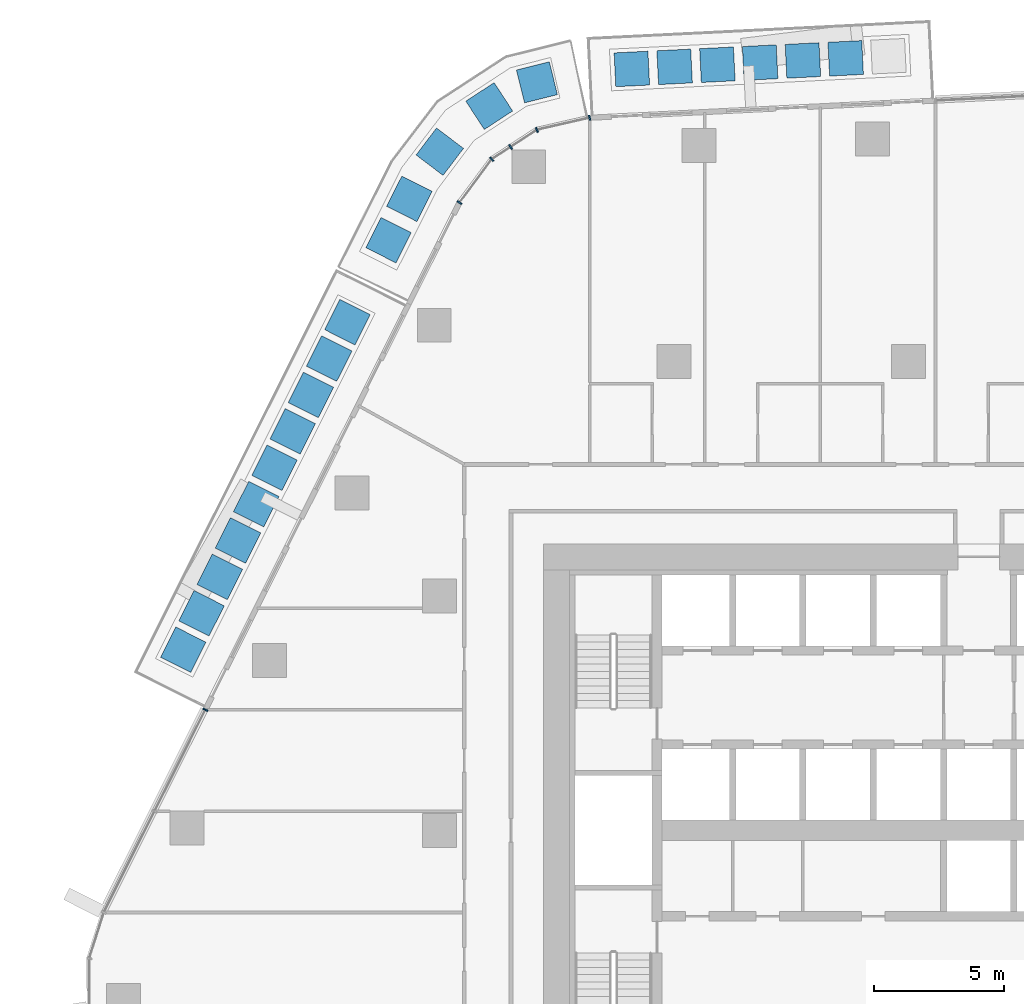
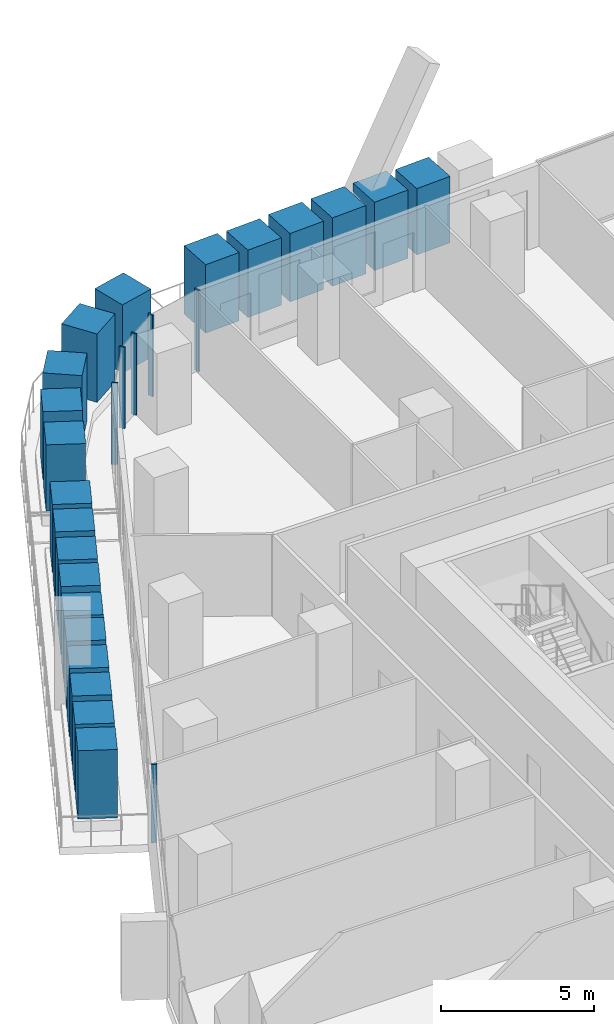
# One storey, part 6 of 26: 27 members, 3 elements without a shape of their own.
"""IFC4 building model written with IfcOpenShell, lengths in metres."""

from ifc_helpers import new_model, si_unit, direction, frame, origin, origin_2d, place, context, subcontext, project, spatial, rectangle, extrude, material, layer, layer_set, material_profile, profile_set, type_object, element, aggregate, save


model = new_model("IFC4")

# Units and contexts
model_context = context("Model", 3, precision=1e-05, world=origin(), true_north=direction((0.0, 1.0)))
body_context = subcontext(model_context, "Body", "Model", "MODEL_VIEW")
ifc_project = project(units=[si_unit("LENGTHUNIT", "METRE"), si_unit("AREAUNIT", "SQUARE_METRE"), si_unit("VOLUMEUNIT", "CUBIC_METRE"), si_unit("PLANEANGLEUNIT", "RADIAN"), si_unit("MASSUNIT", "GRAM", prefix="KILO")], contexts=[model_context])

# Site, building, storey
site_placement = place(None, origin())
site = spatial("IfcSite", under=ifc_project, at=site_placement, CompositionType="ELEMENT")
building_placement = place(site_placement, origin())
building = spatial("IfcBuilding", under=site, at=building_placement, Name="Dongbaek Canopy Tower", CompositionType="ELEMENT")
storey_placement = place(building_placement, frame((0.0, 0.0, 95.199951171875)))
storey = spatial("IfcBuildingStorey", under=building, at=storey_placement, Name="L19", CompositionType="ELEMENT", Elevation=95.199951171875)

# Curtain wall, members
ifc_material_1 = material(Name="Aluminium 6063-T6 pale anodised", Category="aluminium")
ifc_layer = layer(ifc_material_1, 0.199951171875)
ifc_layer_set = layer_set([ifc_layer], Name="CW-1 unitised tower curtain wall")
curtain_wall_type = type_object("IfcCurtainWallType", Name="CW-1 unitised tower curtain wall", PredefinedType="NOTDEFINED", material=ifc_layer_set)
curtain_wall_1_placement = place(storey_placement, origin())
curtain_wall_1 = element("IfcCurtainWall", 1, at=curtain_wall_1_placement, inside=storey, type_object=curtain_wall_type, Name="CW-1 curtain wall K2.1a", PredefinedType="NOTDEFINED")
ifc_material_2 = material(Name="Aluminium 6063-T6 pale anodised", Category="aluminium")
ifc_material_profile_1 = material_profile(ifc_material_2, rectangle(XDim=0.199951171875, YDim=0.06005859375, at=origin_2d()), Name="CW-1 mullion 60 x 200")
ifc_profile_set_1 = profile_set([ifc_material_profile_1], Name="Aluminium 6063-T6 pale anodised")
member_type_1 = type_object("IfcMemberType", Name="CW-1 mullion 60 x 200", PredefinedType="MULLION", material=ifc_profile_set_1)
member_1_placement = place(storey_placement, frame((-12.238037109375, 27.353759765625, 0.0), z_axis=(0.0, 0.0, 1.0), x_axis=(-0.223774189134, 0.974641017133, 0.0)))
member_1 = element("IfcMember", 2, at=member_1_placement, type_object=member_type_1, Name="CW-1 mullion K2.1a.1", PredefinedType="MULLION", context=body_context, shape_type="SweptSolid", body=[
    extrude(rectangle(XDim=0.199951171875, YDim=0.06005859375, at=origin_2d()), origin(), (0.0, 0.0, 1.0), 3.25),
])
member_2_placement = place(storey_placement, frame((-14.261474609375, 26.889404296875, 0.0), z_axis=(0.0, 0.0, 1.0), x_axis=(-0.39108657769, 0.920353893212, 0.0)))
member_2 = element("IfcMember", 3, at=member_2_placement, type_object=member_type_1, Name="CW-1 mullion K2.1a.2", PredefinedType="MULLION", context=body_context, shape_type="SweptSolid", body=[
    extrude(rectangle(XDim=0.199951171875, YDim=0.06005859375, at=origin_2d()), origin(), (0.0, 0.0, 1.0), 3.25),
])
member_3_placement = place(storey_placement, frame((-15.27099609375, 26.23095703125, 0.0), z_axis=(0.0, 0.0, 1.0), x_axis=(-0.546298541371, 0.837590534626, 0.0)))
member_3 = element("IfcMember", 4, at=member_3_placement, type_object=member_type_1, Name="CW-1 mullion K2.1a.3", PredefinedType="MULLION", context=body_context, shape_type="SweptSolid", body=[
    extrude(rectangle(XDim=0.199951171875, YDim=0.06005859375, at=origin_2d()), origin(), (0.0, 0.0, 1.0), 3.25),
])
aggregate(curtain_wall_1, [member_1, member_2, member_3])

curtain_wall_2_placement = place(storey_placement, origin())
curtain_wall_2 = element("IfcCurtainWall", 5, at=curtain_wall_2_placement, inside=storey, type_object=curtain_wall_type, Name="CW-1 curtain wall K2.1b", PredefinedType="NOTDEFINED")
member_4_placement = place(storey_placement, frame((-15.99267578125, 25.760009765625, 0.0), z_axis=(0.0, 0.0, 1.0), x_axis=(-0.684607740177, 0.728911683327, 0.0)))
member_4 = element("IfcMember", 6, at=member_4_placement, type_object=member_type_1, Name="CW-1 mullion K2.1b.2", PredefinedType="MULLION", context=body_context, shape_type="SweptSolid", body=[
    extrude(rectangle(XDim=0.199951171875, YDim=0.06005859375, at=origin_2d()), origin(), (0.0, 0.0, 1.0), 3.25),
])
member_5_placement = place(storey_placement, frame((-17.2333984375, 24.095703125, 0.0), z_axis=(0.0, 0.0, 1.0), x_axis=(-0.80173481458, 0.597679920267, 0.0)))
member_5 = element("IfcMember", 7, at=member_5_placement, type_object=member_type_1, Name="CW-1 mullion K2.1b.3", PredefinedType="MULLION", context=body_context, shape_type="SweptSolid", body=[
    extrude(rectangle(XDim=0.199951171875, YDim=0.06005859375, at=origin_2d()), origin(), (0.0, 0.0, 1.0), 3.25),
])
aggregate(curtain_wall_2, [member_4, member_5])

# Curtain wall, member
curtain_wall_3_placement = place(storey_placement, origin())
curtain_wall_3 = element("IfcCurtainWall", 8, at=curtain_wall_3_placement, inside=storey, type_object=curtain_wall_type, Name="CW-1 curtain wall F2.1", PredefinedType="NOTDEFINED")
member_6_placement = place(storey_placement, frame((-26.9873046875, 4.62841796875, 0.1201171875), z_axis=(0.0, 0.0, 1.0), x_axis=(-0.894055791151, 0.447955625381, 0.0)))
member_6 = element("IfcMember", 9, at=member_6_placement, type_object=member_type_1, Name="CW-1 mullion F2.1.1", PredefinedType="MULLION", context=body_context, shape_type="SweptSolid", body=[
    extrude(rectangle(XDim=0.199951171875, YDim=0.06005859375, at=origin_2d()), origin(), (0.0, 0.0, 1.0), 3.1298828125),
])
aggregate(curtain_wall_3, [member_6])

# Members
ifc_material_3 = material(Name="Concrete C40/50 planter mass with planting", Category="concrete")
ifc_material_profile_2 = material_profile(ifc_material_3, rectangle(XDim=1.300048828125, YDim=1.300048828125, at=origin_2d()), Name="Terrace PLANTER shrub mass 1300 x 1300")
ifc_profile_set_2 = profile_set([ifc_material_profile_2], Name="Concrete C40/50 planter mass with planting")
member_type_2 = type_object("IfcMemberType", Name="Terrace PLANTER shrub mass 1300 x 1300", PredefinedType="USERDEFINED", material=ifc_profile_set_2)
member_7_placement = place(storey_placement, frame((-2.40771484375, 29.633544921875, 0.420166015625), z_axis=(0.0, 0.0, 1.0), x_axis=(-0.049538109177, 0.998772234165, 0.0)))
element("IfcMember", 10, at=member_7_placement, inside=storey, type_object=member_type_2, Name="Planter shrubs L19 2.2", ObjectType="PLANTER", PredefinedType="USERDEFINED", context=body_context, shape_type="SweptSolid", body=[
    extrude(rectangle(XDim=1.300048828125, YDim=1.300048828125, at=origin_2d()), origin(), (0.0, 0.0, 1.0), 2.64990234375),
])
for number, where, z_axis, x_axis, name in (
    (11, (-4.04931640625, 29.55224609375, 0.420166015625), (0.0, 0.0, 1.0), (-0.049538109177, 0.998772234165, 0.0), "Planter shrubs L19 2.3"),
    (12, (-5.69091796875, 29.470703125, 0.420166015625), (0.0, 0.0, 1.0), (-0.049538109177, 0.998772234165, 0.0), "Planter shrubs L19 2.4"),
    (13, (-7.33251953125, 29.389404296875, 0.420166015625), (0.0, 0.0, 1.0), (-0.049538109177, 0.998772234165, 0.0), "Planter shrubs L19 2.5"),
):
    element("IfcMember", number, at=place(storey_placement, frame(where, z_axis=z_axis, x_axis=x_axis)), inside=storey, type_object=member_type_2, Name=name, ObjectType="PLANTER", PredefinedType="USERDEFINED", context=body_context, shape_type="SweptSolid", body=[
        extrude(rectangle(XDim=1.300048828125, YDim=1.300048828125, at=origin_2d()), origin(), (0.0, 0.0, 1.0), 2.72998046875),
    ])
member_8_placement = place(storey_placement, frame((-8.97412109375, 29.307861328125, 0.420166015625), z_axis=(0.0, 0.0, 1.0), x_axis=(-0.049538109177, 0.998772234165, 0.0)))
element("IfcMember", 14, at=member_8_placement, inside=storey, type_object=member_type_2, Name="Planter shrubs L19 2.6", ObjectType="PLANTER", PredefinedType="USERDEFINED", context=body_context, shape_type="SweptSolid", body=[
    extrude(rectangle(XDim=1.300048828125, YDim=1.300048828125, at=origin_2d()), origin(), (0.0, 0.0, 1.0), 2.68994140625),
])
for number, where, z_axis, x_axis, name in (
    (15, (-10.615966796875, 29.2265625, 0.420166015625), (0.0, 0.0, 1.0), (-0.049538109177, 0.998772234165, 0.0), "Planter shrubs L19 2.7"),
    (16, (-21.53466796875, 19.507080078125, 0.420166015625), (0.0, 0.0, 1.0), (-0.894055791151, 0.447955625381, 0.0), "Planter shrubs L19 3.1"),
    (17, (-22.234619140625, 18.110107421875, 0.420166015625), (0.0, 0.0, 1.0), (-0.894055791151, 0.447955625381, 0.0), "Planter shrubs L19 3.2"),
):
    element("IfcMember", number, at=place(storey_placement, frame(where, z_axis=z_axis, x_axis=x_axis)), inside=storey, type_object=member_type_2, Name=name, ObjectType="PLANTER", PredefinedType="USERDEFINED", context=body_context, shape_type="SweptSolid", body=[
        extrude(rectangle(XDim=1.300048828125, YDim=1.300048828125, at=origin_2d()), origin(), (0.0, 0.0, 1.0), 2.72998046875),
    ])
member_9_placement = place(storey_placement, frame((-22.9345703125, 16.712890625, 0.420166015625), z_axis=(0.0, 0.0, 1.0), x_axis=(-0.894055791151, 0.447955625381, 0.0)))
element("IfcMember", 18, at=member_9_placement, inside=storey, type_object=member_type_2, Name="Planter shrubs L19 3.3", ObjectType="PLANTER", PredefinedType="USERDEFINED", context=body_context, shape_type="SweptSolid", body=[
    extrude(rectangle(XDim=1.300048828125, YDim=1.300048828125, at=origin_2d()), origin(), (0.0, 0.0, 1.0), 2.68994140625),
])
member_10_placement = place(storey_placement, frame((-23.634521484375, 15.31591796875, 0.420166015625), z_axis=(0.0, 0.0, 1.0), x_axis=(-0.894055791151, 0.447955625381, 0.0)))
element("IfcMember", 19, at=member_10_placement, inside=storey, type_object=member_type_2, Name="Planter shrubs L19 3.4", ObjectType="PLANTER", PredefinedType="USERDEFINED", context=body_context, shape_type="SweptSolid", body=[
    extrude(rectangle(XDim=1.300048828125, YDim=1.300048828125, at=origin_2d()), origin(), (0.0, 0.0, 1.0), 2.72998046875),
])
member_11_placement = place(storey_placement, frame((-24.334716796875, 13.918701171875, 0.420166015625), z_axis=(0.0, 0.0, 1.0), x_axis=(-0.894055791151, 0.447955625381, 0.0)))
element("IfcMember", 20, at=member_11_placement, inside=storey, type_object=member_type_2, Name="Planter shrubs L19 3.5", ObjectType="PLANTER", PredefinedType="USERDEFINED", context=body_context, shape_type="SweptSolid", body=[
    extrude(rectangle(XDim=1.300048828125, YDim=1.300048828125, at=origin_2d()), origin(), (0.0, 0.0, 1.0), 2.64990234375),
])
for number, where, z_axis, x_axis, name in (
    (21, (-25.03466796875, 12.521728515625, 0.420166015625), (0.0, 0.0, 1.0), (-0.894055791151, 0.447955625381, 0.0), "Planter shrubs L19 3.6"),
    (22, (-25.734619140625, 11.12451171875, 0.420166015625), (0.0, 0.0, 1.0), (-0.894055791151, 0.447955625381, 0.0), "Planter shrubs L19 3.7"),
    (23, (-26.4345703125, 9.7275390625, 0.420166015625), (0.0, 0.0, 1.0), (-0.894055791151, 0.447955625381, 0.0), "Planter shrubs L19 3.8"),
):
    element("IfcMember", number, at=place(storey_placement, frame(where, z_axis=z_axis, x_axis=x_axis)), inside=storey, type_object=member_type_2, Name=name, ObjectType="PLANTER", PredefinedType="USERDEFINED", context=body_context, shape_type="SweptSolid", body=[
        extrude(rectangle(XDim=1.300048828125, YDim=1.300048828125, at=origin_2d()), origin(), (0.0, 0.0, 1.0), 2.72998046875),
    ])
member_12_placement = place(storey_placement, frame((-27.134521484375, 8.330322265625, 0.420166015625), z_axis=(0.0, 0.0, 1.0), x_axis=(-0.894055791151, 0.447955625381, 0.0)))
element("IfcMember", 24, at=member_12_placement, inside=storey, type_object=member_type_2, Name="Planter shrubs L19 3.9", ObjectType="PLANTER", PredefinedType="USERDEFINED", context=body_context, shape_type="SweptSolid", body=[
    extrude(rectangle(XDim=1.300048828125, YDim=1.300048828125, at=origin_2d()), origin(), (0.0, 0.0, 1.0), 2.68994140625),
])
for number, where, z_axis, x_axis, name in (
    (25, (-27.834716796875, 6.933349609375, 0.420166015625), (0.0, 0.0, 1.0), (-0.894055791151, 0.447955625381, 0.0), "Planter shrubs L19 3.10"),
    (26, (-14.259033203125, 28.713134765625, 0.420166015625), (0.0, 0.0, 1.0), (-0.241323932248, 0.970444619607, 0.0), "Planter shrubs L19 7.1"),
    (27, (-16.090576171875, 27.802001953125, 0.420166015625), (0.0, 0.0, 1.0), (-0.546298541371, 0.837590534626, 0.0), "Planter shrubs L19 7.2"),
):
    element("IfcMember", number, at=place(storey_placement, frame(where, z_axis=z_axis, x_axis=x_axis)), inside=storey, type_object=member_type_2, Name=name, ObjectType="PLANTER", PredefinedType="USERDEFINED", context=body_context, shape_type="SweptSolid", body=[
        extrude(rectangle(XDim=1.300048828125, YDim=1.300048828125, at=origin_2d()), origin(), (0.0, 0.0, 1.0), 2.72998046875),
    ])
member_13_placement = place(storey_placement, frame((-17.98828125, 26.05078125, 0.420166015625), z_axis=(0.0, 0.0, 1.0), x_axis=(-0.797113511965, 0.603829486729, 0.0)))
element("IfcMember", 28, at=member_13_placement, inside=storey, type_object=member_type_2, Name="Planter shrubs L19 7.3", ObjectType="PLANTER", PredefinedType="USERDEFINED", context=body_context, shape_type="SweptSolid", body=[
    extrude(rectangle(XDim=1.300048828125, YDim=1.300048828125, at=origin_2d()), origin(), (0.0, 0.0, 1.0), 2.68994140625),
])
member_14_placement = place(storey_placement, frame((-19.156982421875, 24.241455078125, 0.420166015625), z_axis=(0.0, 0.0, 1.0), x_axis=(-0.893229129784, 0.449601736769, 0.0)))
element("IfcMember", 29, at=member_14_placement, inside=storey, type_object=member_type_2, Name="Planter shrubs L19 7.4", ObjectType="PLANTER", PredefinedType="USERDEFINED", context=body_context, shape_type="SweptSolid", body=[
    extrude(rectangle(XDim=1.300048828125, YDim=1.300048828125, at=origin_2d()), origin(), (0.0, 0.0, 1.0), 2.72998046875),
])
member_15_placement = place(storey_placement, frame((-19.956298828125, 22.653564453125, 0.420166015625), z_axis=(0.0, 0.0, 1.0), x_axis=(-0.893229129784, 0.449601736769, 0.0)))
element("IfcMember", 30, at=member_15_placement, inside=storey, type_object=member_type_2, Name="Planter shrubs L19 7.5", ObjectType="PLANTER", PredefinedType="USERDEFINED", context=body_context, shape_type="SweptSolid", body=[
    extrude(rectangle(XDim=1.300048828125, YDim=1.300048828125, at=origin_2d()), origin(), (0.0, 0.0, 1.0), 2.64990234375),
])

save(model, "model.ifc")
